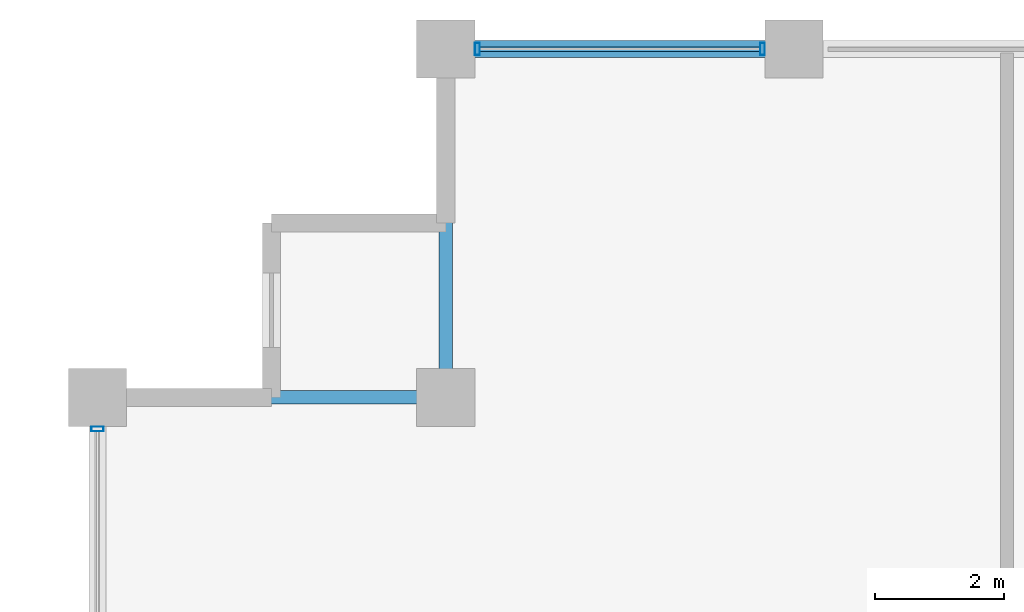
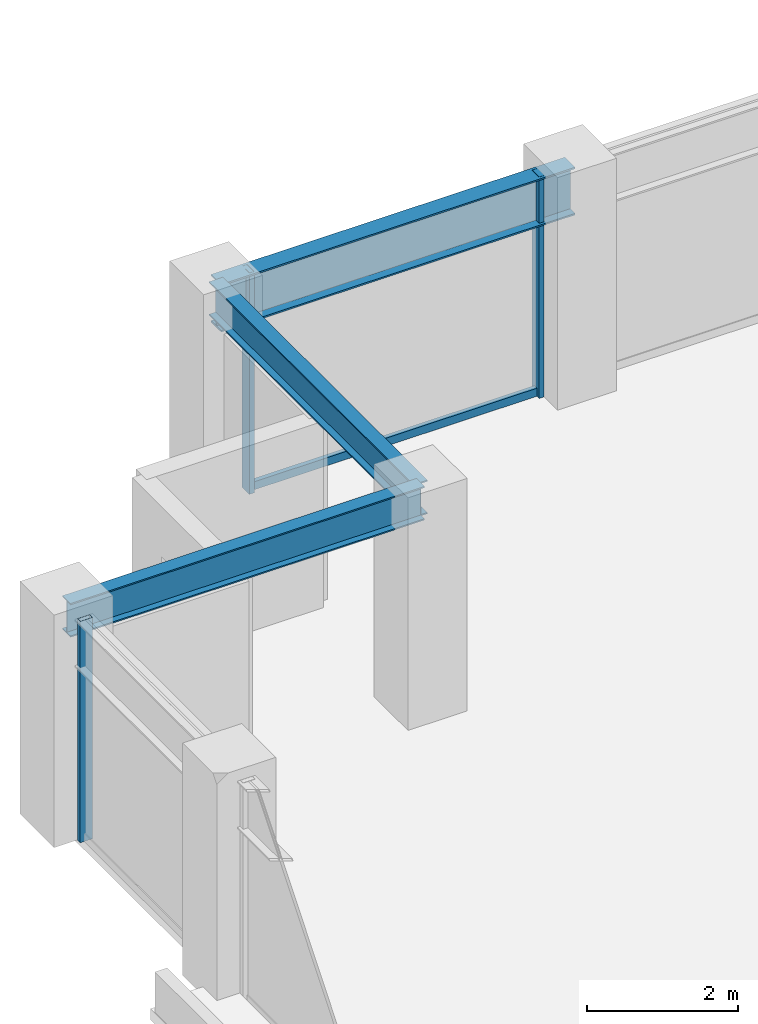
# One storey, part 18 of 31: 4 members, 3 beams, 2 elements without a shape of their own.
"""IFC4 building model written with IfcOpenShell, lengths in metres."""

from ifc_helpers import new_model, si_unit, direction, frame, origin, origin_2d, place, context, subcontext, project, spatial, hollow_rectangle, i_section, extrude, material, layer, layer_set, material_profile, profile_set, type_object, element, aggregate, save


model = new_model("IFC4")

# Units and contexts
model_context = context("Model", 3, precision=1e-05, world=origin(), true_north=direction((0.0, 1.0)))
body_context = subcontext(model_context, "Body", "Model", "MODEL_VIEW")
ifc_project = project(units=[si_unit("LENGTHUNIT", "METRE"), si_unit("AREAUNIT", "SQUARE_METRE"), si_unit("VOLUMEUNIT", "CUBIC_METRE"), si_unit("PLANEANGLEUNIT", "RADIAN"), si_unit("MASSUNIT", "GRAM", prefix="KILO")], contexts=[model_context])

# Site, building, storey
site_placement = place(None, origin())
site = spatial("IfcSite", under=ifc_project, at=site_placement, CompositionType="ELEMENT")
building_placement = place(site_placement, origin())
building = spatial("IfcBuilding", under=site, at=building_placement, Name="Surkhivell Harbour Commons", CompositionType="ELEMENT")
storey_placement = place(building_placement, frame((0.0, 0.0, 193.5)))
storey = spatial("IfcBuildingStorey", under=building, at=storey_placement, Name="L50", CompositionType="ELEMENT", Elevation=193.5)

# Beams
ifc_material_1 = material(Name="Steel S355", Category="steel")
ifc_material_profile_1 = material_profile(ifc_material_1, i_section(OverallWidth=0.2119140625, OverallDepth=0.5439453125, WebThickness=0.0126953125, FlangeThickness=0.021240234375, at=origin_2d()), Name="UB533x210x122")
ifc_profile_set_1 = profile_set([ifc_material_profile_1], Name="Steel S355")
beam_type_1 = type_object("IfcBeamType", Name="BM-GRD-533A", PredefinedType="BEAM", material=ifc_profile_set_1)
for number, where, z_axis, x_axis, name in (
    (1, (-27.0, 20.5, 3.298095703125), (1.0, 0.0, 0.0), (0.0, 1.0, 0.0), "L50 Floor Girder (-27.0,20.5)"),
    (2, (-21.60009765625, 20.5, 3.298095703125), (0.0, 1.0, 0.0), (-1.0, 0.0, 0.0), "L50 Floor Girder (-21.6,20.5)"),
):
    element("IfcBeam", number, at=place(storey_placement, frame(where, z_axis=z_axis, x_axis=x_axis)), inside=storey, type_object=beam_type_1, Name=name, PredefinedType="BEAM", context=body_context, shape_type="SweptSolid", body=[
        extrude(i_section(OverallWidth=0.2119140625, OverallDepth=0.5439453125, WebThickness=0.0126953125, FlangeThickness=0.021240234375, at=origin_2d()), origin(), (0.0, 0.0, 1.0), 5.39990234375),
    ])
ifc_material_profile_2 = material_profile(ifc_material_1, i_section(OverallWidth=0.26806640625, OverallDepth=0.77001953125, WebThickness=0.015625, FlangeThickness=0.025390625, at=origin_2d()), Name="UB762x267x197")
ifc_profile_set_2 = profile_set([ifc_material_profile_2], Name="Steel S355")
beam_type_2 = type_object("IfcBeamType", Name="BM-SPN-762", PredefinedType="SPANDREL", material=ifc_profile_set_2)
beam_placement = place(storey_placement, frame((-21.60009765625, 25.89990234375, 3.18505859375), z_axis=(1.0, 0.0, 0.0), x_axis=(0.0, 1.0, 0.0)))
element("IfcBeam", 3, at=beam_placement, inside=storey, type_object=beam_type_2, Name="L50 Tube Spandrel (-21.6,25.9)", PredefinedType="SPANDREL", context=body_context, shape_type="SweptSolid", body=[
    extrude(i_section(OverallWidth=0.26806640625, OverallDepth=0.77001953125, WebThickness=0.015625, FlangeThickness=0.025390625, at=origin_2d()), origin(), (0.0, 0.0, 1.0), 5.400146484375),
])

# Curtain wall, members
ifc_material_2 = material(Name="Anodised pale-metal aluminium and insulated glazing", Category="aluminium")
ifc_layer = layer(ifc_material_2, 0.18994140625)
ifc_layer_set = layer_set([ifc_layer], Name="Anodised pale-metal aluminium and insulated glazing")
curtain_wall_type = type_object("IfcCurtainWallType", Name="CW-SYS-Z3", PredefinedType="NOTDEFINED", material=ifc_layer_set)
curtain_wall_1_placement = place(storey_placement, origin())
curtain_wall_1 = element("IfcCurtainWall", 4, at=curtain_wall_1_placement, inside=storey, type_object=curtain_wall_type, Name="L50 Curtain Wall CW-L50-E07S2", PredefinedType="NOTDEFINED")
ifc_material_3 = material(Name="Anodised pale-metal aluminium alloy 6063-T6", Category="aluminium")
ifc_material_profile_3 = material_profile(ifc_material_3, hollow_rectangle(XDim=0.074951171875, YDim=0.18994140625, WallThickness=0.00390625, at=origin_2d()), Name="ALU-MULL-75x190")
ifc_profile_set_3 = profile_set([ifc_material_profile_3], Name="Anodised pale-metal aluminium alloy 6063-T6")
member_type_1 = type_object("IfcMemberType", Name="CWM-190", PredefinedType="MULLION", material=ifc_profile_set_3)
member_1_placement = place(storey_placement, frame((-16.689453125, 25.89990234375, 0.0), z_axis=(0.0, 0.0, 1.0), x_axis=(-1.0, 0.0, 0.0)))
member_1 = element("IfcMember", 5, at=member_1_placement, type_object=member_type_1, Name="CW-Z3 mullion 3", PredefinedType="MULLION", context=body_context, shape_type="SweptSolid", body=[
    extrude(hollow_rectangle(XDim=0.074951171875, YDim=0.18994140625, WallThickness=0.00390625, at=origin_2d()), origin(), (0.0, 0.0, 1.0), 3.570068359375),
])
member_2_placement = place(storey_placement, frame((-21.110595703125, 25.89990234375, 0.0), z_axis=(0.0, 0.0, 1.0), x_axis=(-1.0, 0.0, 0.0)))
member_2 = element("IfcMember", 6, at=member_2_placement, type_object=member_type_1, Name="CW-Z3 mullion 4", PredefinedType="MULLION", context=body_context, shape_type="SweptSolid", body=[
    extrude(hollow_rectangle(XDim=0.074951171875, YDim=0.18994140625, WallThickness=0.00390625, at=origin_2d()), origin(), (0.0, 0.0, 1.0), 3.570068359375),
])

# Curtain wall, member
curtain_wall_2_placement = place(storey_placement, origin())
curtain_wall_2 = element("IfcCurtainWall", 7, at=curtain_wall_2_placement, inside=storey, type_object=curtain_wall_type, Name="L50 Curtain Wall CW-L50-E12S1", PredefinedType="NOTDEFINED")
member_3_placement = place(storey_placement, frame((-27.0, 20.010498046875, 0.0), z_axis=(0.0, 0.0, 1.0), x_axis=(0.0, -1.0, 0.0)))
member_3 = element("IfcMember", 8, at=member_3_placement, type_object=member_type_1, Name="CW-Z3 mullion 1", PredefinedType="MULLION", context=body_context, shape_type="SweptSolid", body=[
    extrude(hollow_rectangle(XDim=0.074951171875, YDim=0.18994140625, WallThickness=0.00390625, at=origin_2d()), origin(), (0.0, 0.0, 1.0), 3.570068359375),
])
aggregate(curtain_wall_2, [member_3])

# Member
ifc_material_4 = material(Name="Champagne anodised aluminium alloy 6063-T6", Category="aluminium")
ifc_material_profile_4 = material_profile(ifc_material_4, hollow_rectangle(XDim=0.070068359375, YDim=0.1298828125, WallThickness=0.00341796875, at=origin_2d()), Name="ALU-TRAN-70x130")
ifc_profile_set_4 = profile_set([ifc_material_profile_4], Name="Champagne anodised aluminium alloy 6063-T6")
member_type_2 = type_object("IfcMemberType", Name="CWT-130", PredefinedType="USERDEFINED", material=ifc_profile_set_4)
member_4_placement = place(storey_placement, frame((-16.72705078125, 25.89990234375, 0.06494140625), z_axis=(-1.0, 0.0, 0.0), x_axis=(0.0, -1.0, 0.0)))
member_4 = element("IfcMember", 9, at=member_4_placement, type_object=member_type_2, Name="CW-Z3 transom 3.1", ObjectType="TRANSOM", PredefinedType="USERDEFINED", context=body_context, shape_type="SweptSolid", body=[
    extrude(hollow_rectangle(XDim=0.070068359375, YDim=0.1298828125, WallThickness=0.00341796875, at=origin_2d()), origin(), (0.0, 0.0, 1.0), 4.345947265625),
])

aggregate(curtain_wall_1, [member_1, member_2, member_4])

save(model, "model.ifc")
